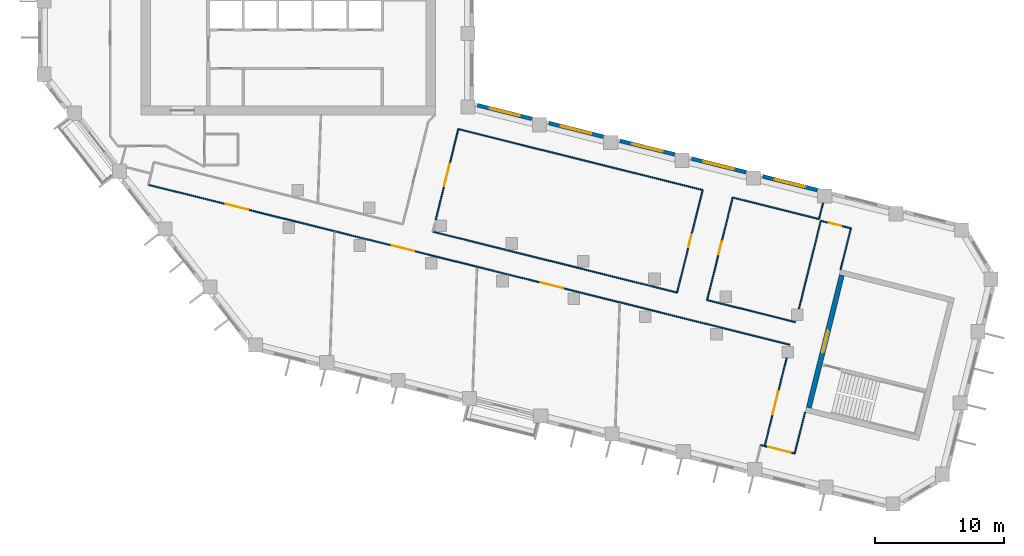
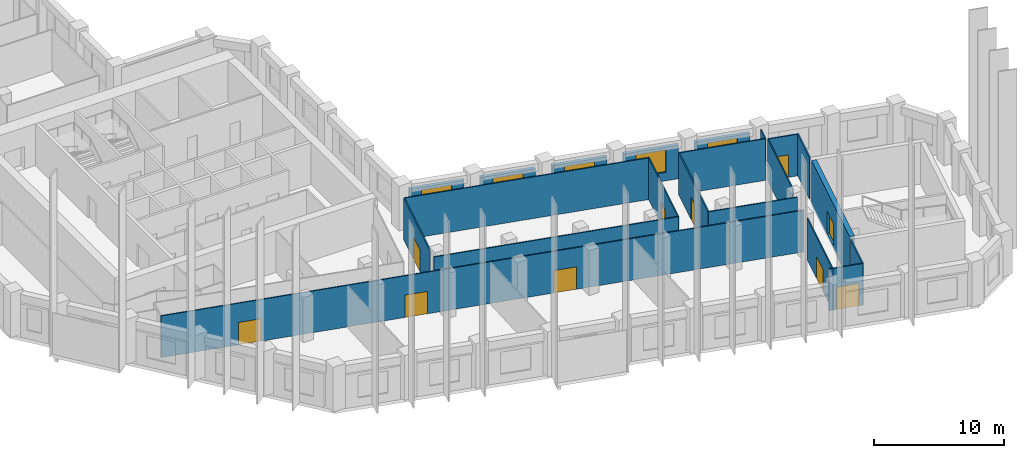
# One storey, part 4 of 10: 22 walls, 10 doors, 5 windows, 15 openings.
"""IFC4 building model written with IfcOpenShell, lengths in metres."""

from ifc_helpers import new_model, si_unit, direction, frame, frame_2d, origin, place, context, subcontext, project, spatial, rectangle, extrude, material, layer, layer_set, type_object, element, fill, save


model = new_model("IFC4")

# Units and contexts
model_context = context("Model", 3, precision=1e-05, world=origin(), true_north=direction((0.0, 1.0)))
body_context = subcontext(model_context, "Body", "Model", "MODEL_VIEW")
ifc_project = project(units=[si_unit("LENGTHUNIT", "METRE"), si_unit("AREAUNIT", "SQUARE_METRE"), si_unit("VOLUMEUNIT", "CUBIC_METRE"), si_unit("PLANEANGLEUNIT", "RADIAN"), si_unit("MASSUNIT", "GRAM", prefix="KILO")], contexts=[model_context])

# Site, building, storey
site_placement = place(None, origin())
site = spatial("IfcSite", under=ifc_project, at=site_placement, CompositionType="ELEMENT")
building_placement = place(site_placement, origin())
building = spatial("IfcBuilding", under=site, at=building_placement, Name="Meshkara Civic Tower", CompositionType="ELEMENT")
storey_placement = place(building_placement, frame((0.0, 0.0, 259.199951171875)))
storey = spatial("IfcBuildingStorey", under=building, at=storey_placement, Name="L59", CompositionType="ELEMENT", Elevation=259.199951171875)

# Wall, openings, doors
ifc_material_1 = material(Name="Corridor wall 100")
ifc_layer_1 = layer(ifc_material_1, 0.10009765625)
ifc_layer_set_1 = layer_set([ifc_layer_1], Name="Corridor wall 100")
wall_type_1 = type_object("IfcWallType", Name="Corridor wall 100", PredefinedType="PARTITIONING", material=ifc_layer_set_1)
wall_1_placement = place(storey_placement, frame((8.550048828125, 8.68505859375, 0.0), z_axis=(0.0, 0.0, 1.0), x_axis=(0.970298026101, -0.241912671319, 0.0)))
wall_1 = element("IfcWall", 1, at=wall_1_placement, inside=storey, type_object=wall_type_1, Name="L59-W008", PredefinedType="PARTITIONING", context=body_context, shape_type="SweptSolid", body=[
    extrude(rectangle(XDim=51.27490234375, YDim=0.10009765625, at=frame_2d((25.637451171875, 0.0))), origin(), (0.0, 0.0, 1.0), 3.900146484375),
])
opening_1_placement = place(wall_1_placement, frame((19.449951171875, 0.0, 0.0)))
opening_1 = element("IfcOpeningElement", 2, at=opening_1_placement, cuts=wall_1, Name="Opening L59-D003", PredefinedType="OPENING", context=body_context, shape_type="SweptSolid", body=[
    extrude(rectangle(XDim=1.800048828125, YDim=2.10009765625, at=frame_2d((0.89990234375, 1.050048828125))), frame((0.0, 0.06005859375, 0.0), z_axis=(0.0, -1.0, 0.0), x_axis=(1.0, 0.0, 0.0)), (0.0, 0.0, 1.0), 0.1201171875),
])
opening_2_placement = place(wall_1_placement, frame((31.35009765625, 0.0, 0.0)))
opening_2 = element("IfcOpeningElement", 3, at=opening_2_placement, cuts=wall_1, Name="Opening L59-D004", PredefinedType="OPENING", context=body_context, shape_type="SweptSolid", body=[
    extrude(rectangle(XDim=1.800048828125, YDim=2.10009765625, at=frame_2d((0.89990234375, 1.050048828125))), frame((0.0, 0.06005859375, 0.0), z_axis=(0.0, -1.0, 0.0), x_axis=(1.0, 0.0, 0.0)), (0.0, 0.0, 1.0), 0.1201171875),
])
opening_3_placement = place(wall_1_placement, frame((6.179931640625, 0.0, 0.0)))
opening_3 = element("IfcOpeningElement", 4, at=opening_3_placement, cuts=wall_1, Name="Opening L59-D010", PredefinedType="OPENING", context=body_context, shape_type="SweptSolid", body=[
    extrude(rectangle(XDim=1.800048828125, YDim=2.10009765625, at=frame_2d((0.89990234375, 1.050048828125))), frame((0.0, 0.06005859375, 0.0), z_axis=(0.0, -1.0, 0.0), x_axis=(1.0, 0.0, 0.0)), (0.0, 0.0, 1.0), 0.1201171875),
])
ifc_material_2 = material(Name="Door pair 1800 x 2100")
door_type_1 = type_object("IfcDoorType", Name="Door pair 1800 x 2100", OperationType="SINGLE_SWING_LEFT", PredefinedType="DOOR", material=ifc_material_2)
door_1_placement = place(opening_1_placement, origin())
door_1 = element("IfcDoor", 5, at=door_1_placement, inside=storey, type_object=door_type_1, Name="L59-D003", OperationType="DOUBLE_DOOR_SINGLE_SWING", OverallHeight=2.10009765625, OverallWidth=1.800048828125, PredefinedType="DOOR", context=body_context, shape_type="SweptSolid", body=[
    extrude(rectangle(XDim=1.800048828125, YDim=2.10009765625, at=frame_2d((0.89990234375, 1.050048828125))), frame((0.0, 0.02490234375, 0.0), z_axis=(0.0, -1.0, 0.0), x_axis=(1.0, 0.0, 0.0)), (0.0, 0.0, 1.0), 0.050048828125),
])
fill(opening_1, door_1)
door_2_placement = place(opening_2_placement, origin())
door_2 = element("IfcDoor", 6, at=door_2_placement, inside=storey, type_object=door_type_1, Name="L59-D004", OperationType="DOUBLE_DOOR_SINGLE_SWING", OverallHeight=2.10009765625, OverallWidth=1.800048828125, PredefinedType="DOOR", context=body_context, shape_type="SweptSolid", body=[
    extrude(rectangle(XDim=1.800048828125, YDim=2.10009765625, at=frame_2d((0.89990234375, 1.050048828125))), frame((0.0, 0.02490234375, 0.0), z_axis=(0.0, -1.0, 0.0), x_axis=(1.0, 0.0, 0.0)), (0.0, 0.0, 1.0), 0.050048828125),
])
fill(opening_2, door_2)
door_3_placement = place(opening_3_placement, origin())
door_3 = element("IfcDoor", 7, at=door_3_placement, inside=storey, type_object=door_type_1, Name="L59-D010", OperationType="DOUBLE_DOOR_SINGLE_SWING", OverallHeight=2.10009765625, OverallWidth=1.800048828125, PredefinedType="DOOR", context=body_context, shape_type="SweptSolid", body=[
    extrude(rectangle(XDim=1.800048828125, YDim=2.10009765625, at=frame_2d((0.89990234375, 1.050048828125))), frame((0.0, 0.02490234375, 0.0), z_axis=(0.0, -1.0, 0.0), x_axis=(1.0, 0.0, 0.0)), (0.0, 0.0, 1.0), 0.050048828125),
])
fill(opening_3, door_3)

# Wall, opening, door
wall_2_placement = place(storey_placement, frame((30.8330078125, 5.962890625, 0.0), z_axis=(0.0, 0.0, 1.0), x_axis=(0.241902093757, 0.970300663215, 0.0)))
wall_2 = element("IfcWall", 8, at=wall_2_placement, inside=storey, type_object=wall_type_1, Name="L59-W029", PredefinedType="PARTITIONING", context=body_context, shape_type="SweptSolid", body=[
    extrude(rectangle(XDim=7.254638671875, YDim=0.10009765625, at=frame_2d((3.62744140625, 0.0))), origin(), (0.0, 0.0, 1.0), 3.900146484375),
])
opening_4_placement = place(wall_2_placement, frame((2.679931640625, 0.0, 0.0)))
opening_4 = element("IfcOpeningElement", 9, at=opening_4_placement, cuts=wall_2, Name="Opening L59-D012", PredefinedType="OPENING", context=body_context, shape_type="SweptSolid", body=[
    extrude(rectangle(XDim=1.800048828125, YDim=2.10009765625, at=frame_2d((0.89990234375, 1.050048828125))), frame((0.0, 0.06005859375, 0.0), z_axis=(0.0, -1.0, 0.0), x_axis=(1.0, 0.0, 0.0)), (0.0, 0.0, 1.0), 0.1201171875),
])
door_4_placement = place(opening_4_placement, origin())
door_4 = element("IfcDoor", 10, at=door_4_placement, inside=storey, type_object=door_type_1, Name="L59-D012", OperationType="DOUBLE_DOOR_SINGLE_SWING", OverallHeight=2.10009765625, OverallWidth=1.800048828125, PredefinedType="DOOR", context=body_context, shape_type="SweptSolid", body=[
    extrude(rectangle(XDim=1.800048828125, YDim=2.10009765625, at=frame_2d((0.89990234375, 1.050048828125))), frame((0.0, 0.02490234375, 0.0), z_axis=(0.0, -1.0, 0.0), x_axis=(1.0, 0.0, 0.0)), (0.0, 0.0, 1.0), 0.050048828125),
])
fill(opening_4, door_4)

# Walls
wall_3_placement = place(storey_placement, frame((32.587890625, 13.001953125, 0.0), z_axis=(0.0, 0.0, 1.0), x_axis=(0.970294555223, -0.241926592387, 0.0)))
element("IfcWall", 11, at=wall_3_placement, inside=storey, type_object=wall_type_1, Name="L59-W031", PredefinedType="PARTITIONING", context=body_context, shape_type="SweptSolid", body=[
    extrude(rectangle(XDim=19.526123046875, YDim=0.10009765625, at=frame_2d((9.76318359375, 0.0))), origin(), (0.0, 0.0, 1.0), 3.900146484375),
])
wall_4_placement = place(storey_placement, frame((49.551025390625, 0.326904296875, 0.0), z_axis=(0.0, 0.0, 1.0), x_axis=(-0.970303359745, 0.241891277369, 0.0)))
element("IfcWall", 12, at=wall_4_placement, inside=storey, type_object=wall_type_1, Name="L59-W032", PredefinedType="PARTITIONING", context=body_context, shape_type="SweptSolid", body=[
    extrude(rectangle(XDim=19.52587890625, YDim=0.10009765625, at=frame_2d((9.762939453125, 0.0))), origin(), (0.0, 0.0, 1.0), 3.900146484375),
])

# Wall, opening, door
wall_5_placement = place(storey_placement, frame((51.533935546875, 8.278076171875, 0.0), z_axis=(0.0, 0.0, 1.0), x_axis=(-0.241974784284, -0.970282538115, 0.0)))
wall_5 = element("IfcWall", 13, at=wall_5_placement, inside=storey, type_object=wall_type_1, Name="L59-W033", PredefinedType="PARTITIONING", context=body_context, shape_type="SweptSolid", body=[
    extrude(rectangle(XDim=8.194580078125, YDim=0.10009765625, at=frame_2d((4.09716796875, 0.0))), origin(), (0.0, 0.0, 1.0), 3.900146484375),
])
opening_5_placement = place(wall_5_placement, frame((3.580078125, 0.0, 0.0)))
opening_5 = element("IfcOpeningElement", 14, at=opening_5_placement, cuts=wall_5, Name="Opening L59-D005", PredefinedType="OPENING", context=body_context, shape_type="SweptSolid", body=[
    extrude(rectangle(XDim=1.0, YDim=2.10009765625, at=frame_2d((0.5, 1.050048828125))), frame((0.0, 0.06005859375, 0.0), z_axis=(0.0, -1.0, 0.0), x_axis=(1.0, 0.0, 0.0)), (0.0, 0.0, 1.0), 0.1201171875),
])
ifc_material_3 = material(Name="Door 1000 x 2100")
door_type_2 = type_object("IfcDoorType", Name="Door 1000 x 2100", OperationType="SINGLE_SWING_LEFT", PredefinedType="DOOR", material=ifc_material_3)
door_5_placement = place(opening_5_placement, origin())
door_5 = element("IfcDoor", 15, at=door_5_placement, inside=storey, type_object=door_type_2, Name="L59-D005", OperationType="SINGLE_SWING_RIGHT", OverallHeight=2.10009765625, OverallWidth=1.0, PredefinedType="DOOR", context=body_context, shape_type="SweptSolid", body=[
    extrude(rectangle(XDim=1.0, YDim=2.10009765625, at=frame_2d((0.5, 1.050048828125))), frame((0.0, 0.02490234375, 0.0), z_axis=(0.0, -1.0, 0.0), x_axis=(1.0, 0.0, 0.0)), (0.0, 0.0, 1.0), 0.050048828125),
])
fill(opening_5, door_5)

wall_6_placement = place(storey_placement, frame((51.8798828125, -0.25390625, 0.0), z_axis=(0.0, 0.0, 1.0), x_axis=(0.241869660979, 0.970308748336, 0.0)))
wall_6 = element("IfcWall", 16, at=wall_6_placement, inside=storey, type_object=wall_type_1, Name="L59-W034", PredefinedType="PARTITIONING", context=body_context, shape_type="SweptSolid", body=[
    extrude(rectangle(XDim=8.1953125, YDim=0.10009765625, at=frame_2d((4.09765625, 0.0))), origin(), (0.0, 0.0, 1.0), 3.900146484375),
])
opening_6_placement = place(wall_6_placement, frame((3.679931640625, 0.0, 0.0)))
opening_6 = element("IfcOpeningElement", 17, at=opening_6_placement, cuts=wall_6, Name="Opening L59-D006", PredefinedType="OPENING", context=body_context, shape_type="SweptSolid", body=[
    extrude(rectangle(XDim=1.0, YDim=2.10009765625, at=frame_2d((0.5, 1.050048828125))), frame((0.0, 0.06005859375, 0.0), z_axis=(0.0, -1.0, 0.0), x_axis=(1.0, 0.0, 0.0)), (0.0, 0.0, 1.0), 0.1201171875),
])
door_6_placement = place(opening_6_placement, origin())
door_6 = element("IfcDoor", 18, at=door_6_placement, inside=storey, type_object=door_type_2, Name="L59-D006", OperationType="SINGLE_SWING_LEFT", OverallHeight=2.10009765625, OverallWidth=1.0, PredefinedType="DOOR", context=body_context, shape_type="SweptSolid", body=[
    extrude(rectangle(XDim=1.0, YDim=2.10009765625, at=frame_2d((0.5, 1.050048828125))), frame((0.0, 0.02490234375, 0.0), z_axis=(0.0, -1.0, 0.0), x_axis=(1.0, 0.0, 0.0)), (0.0, 0.0, 1.0), 0.050048828125),
])
fill(opening_6, door_6)

# Wall
wall_7_placement = place(storey_placement, frame((53.862060546875, 7.697998046875, 0.0), z_axis=(0.0, 0.0, 1.0), x_axis=(0.970296350815, -0.241919390698, 0.0)))
element("IfcWall", 19, at=wall_7_placement, inside=storey, type_object=wall_type_1, Name="L59-W035", PredefinedType="PARTITIONING", context=body_context, shape_type="SweptSolid", body=[
    extrude(rectangle(XDim=6.898681640625, YDim=0.10009765625, at=frame_2d((3.44921875, 0.0))), origin(), (0.0, 0.0, 1.0), 3.900146484375),
])

# Wall, opening, door
wall_8_placement = place(storey_placement, frame((56.343994140625, -11.574951171875, 0.0), z_axis=(0.0, 0.0, 1.0), x_axis=(0.970333736057, -0.241769395645, 0.0)))
wall_8 = element("IfcWall", 20, at=wall_8_placement, inside=storey, type_object=wall_type_1, Name="L59-W036", PredefinedType="PARTITIONING", context=body_context, shape_type="SweptSolid", body=[
    extrude(rectangle(XDim=2.3994140625, YDim=0.10009765625, at=frame_2d((1.19970703125, 0.0))), origin(), (0.0, 0.0, 1.0), 3.900146484375),
])
opening_7_placement = place(wall_8_placement, frame((0.280029296875, 0.0, 0.0)))
opening_7 = element("IfcOpeningElement", 21, at=opening_7_placement, cuts=wall_8, Name="Opening L59-D002", PredefinedType="OPENING", context=body_context, shape_type="SweptSolid", body=[
    extrude(rectangle(XDim=1.800048828125, YDim=2.10009765625, at=frame_2d((0.89990234375, 1.050048828125))), frame((0.0, 0.06005859375, 0.0), z_axis=(0.0, -1.0, 0.0), x_axis=(1.0, 0.0, 0.0)), (0.0, 0.0, 1.0), 0.1201171875),
])
door_7_placement = place(opening_7_placement, origin())
door_7 = element("IfcDoor", 22, at=door_7_placement, inside=storey, type_object=door_type_1, Name="L59-D002", OperationType="DOUBLE_DOOR_SINGLE_SWING", OverallHeight=2.10009765625, OverallWidth=1.800048828125, PredefinedType="DOOR", context=body_context, shape_type="SweptSolid", body=[
    extrude(rectangle(XDim=1.800048828125, YDim=2.10009765625, at=frame_2d((0.89990234375, 1.050048828125))), frame((0.0, 0.02490234375, 0.0), z_axis=(0.0, -1.0, 0.0), x_axis=(1.0, 0.0, 0.0)), (0.0, 0.0, 1.0), 0.050048828125),
])
fill(opening_7, door_7)

wall_9_placement = place(storey_placement, frame((58.047119140625, -4.741943359375, 0.0), z_axis=(0.0, 0.0, 1.0), x_axis=(-0.241882891004, -0.970305450381, 0.0)))
wall_9 = element("IfcWall", 23, at=wall_9_placement, inside=storey, type_object=wall_type_1, Name="L59-W037", PredefinedType="PARTITIONING", context=body_context, shape_type="SweptSolid", body=[
    extrude(rectangle(XDim=7.041015625, YDim=0.10009765625, at=frame_2d((3.5205078125, 0.0))), origin(), (0.0, 0.0, 1.0), 3.900146484375),
])
opening_8_placement = place(wall_9_placement, frame((2.679931640625, 0.0, 0.0)))
opening_8 = element("IfcOpeningElement", 24, at=opening_8_placement, cuts=wall_9, Name="Opening L59-D001", PredefinedType="OPENING", context=body_context, shape_type="SweptSolid", body=[
    extrude(rectangle(XDim=1.800048828125, YDim=2.10009765625, at=frame_2d((0.89990234375, 1.050048828125))), frame((0.0, 0.06005859375, 0.0), z_axis=(0.0, -1.0, 0.0), x_axis=(1.0, 0.0, 0.0)), (0.0, 0.0, 1.0), 0.1201171875),
])
door_8_placement = place(opening_8_placement, origin())
door_8 = element("IfcDoor", 25, at=door_8_placement, inside=storey, type_object=door_type_1, Name="L59-D001", OperationType="DOUBLE_DOOR_SINGLE_SWING", OverallHeight=2.10009765625, OverallWidth=1.800048828125, PredefinedType="DOOR", context=body_context, shape_type="SweptSolid", body=[
    extrude(rectangle(XDim=1.800048828125, YDim=2.10009765625, at=frame_2d((0.89990234375, 1.050048828125))), frame((0.0, 0.02490234375, 0.0), z_axis=(0.0, -1.0, 0.0), x_axis=(1.0, 0.0, 0.0)), (0.0, 0.0, 1.0), 0.050048828125),
])
fill(opening_8, door_8)

# Walls
wall_10_placement = place(storey_placement, frame((58.672119140625, -12.155029296875, 0.0), z_axis=(0.0, 0.0, 1.0), x_axis=(0.242048225647, 0.970264219922, 0.0)))
element("IfcWall", 26, at=wall_10_placement, inside=storey, type_object=wall_type_1, Name="L59-W038", PredefinedType="PARTITIONING", context=body_context, shape_type="SweptSolid", body=[
    extrude(rectangle(XDim=3.30029296875, YDim=0.10009765625, at=frame_2d((1.650146484375, 0.0))), origin(), (0.0, 0.0, 1.0), 3.900146484375),
])
wall_11_placement = place(storey_placement, frame((58.739990234375, -1.965087890625, 0.0), z_axis=(0.0, 0.0, 1.0), x_axis=(-0.970270330794, 0.24202372855, 0.0)))
element("IfcWall", 27, at=wall_11_placement, inside=storey, type_object=wall_type_1, Name="L59-W039", PredefinedType="PARTITIONING", context=body_context, shape_type="SweptSolid", body=[
    extrude(rectangle(XDim=7.0703125, YDim=0.10009765625, at=frame_2d((3.53515625, 0.0))), origin(), (0.0, 0.0, 1.0), 3.900146484375),
])
wall_12_placement = place(storey_placement, frame((60.555908203125, 6.029052734375, 0.0), z_axis=(0.0, 0.0, 1.0), x_axis=(0.24168476558, 0.970354818655, 0.0)))
element("IfcWall", 28, at=wall_12_placement, inside=storey, type_object=wall_type_1, Name="L59-W040", PredefinedType="PARTITIONING", context=body_context, shape_type="SweptSolid", body=[
    extrude(rectangle(XDim=1.282958984375, YDim=0.10009765625, at=frame_2d((0.6416015625, 0.0))), origin(), (0.0, 0.0, 1.0), 3.900146484375),
])
wall_13_placement = place(storey_placement, frame((60.697998046875, 5.89111328125, 0.0), z_axis=(0.0, 0.0, 1.0), x_axis=(-0.241890198624, -0.97030362867, 0.0)))
element("IfcWall", 29, at=wall_13_placement, inside=storey, type_object=wall_type_1, Name="L59-W041", PredefinedType="PARTITIONING", context=body_context, shape_type="SweptSolid", body=[
    extrude(rectangle(XDim=7.03173828125, YDim=0.10009765625, at=frame_2d((3.515869140625, 0.0))), origin(), (0.0, 0.0, 1.0), 3.900146484375),
])
wall_14_placement = place(storey_placement, frame((62.22900390625, 2.10791015625, 0.0), z_axis=(0.0, 0.0, 1.0), x_axis=(0.241839284064, 0.97031631991, 0.0)))
element("IfcWall", 30, at=wall_14_placement, inside=storey, type_object=wall_type_1, Name="L59-W042", PredefinedType="PARTITIONING", context=body_context, shape_type="SweptSolid", body=[
    extrude(rectangle(XDim=3.300048828125, YDim=0.10009765625, at=frame_2d((1.64990234375, 0.0))), origin(), (0.0, 0.0, 1.0), 3.900146484375),
])

# Wall, opening, door
wall_15_placement = place(storey_placement, frame((63.027099609375, 5.31005859375, 0.0), z_axis=(0.0, 0.0, 1.0), x_axis=(-0.970262034576, 0.242056985565, 0.0)))
wall_15 = element("IfcWall", 31, at=wall_15_placement, inside=storey, type_object=wall_type_1, Name="L59-W043", PredefinedType="PARTITIONING", context=body_context, shape_type="SweptSolid", body=[
    extrude(rectangle(XDim=2.400390625, YDim=0.10009765625, at=frame_2d((1.2001953125, 0.0))), origin(), (0.0, 0.0, 1.0), 3.900146484375),
])
opening_9_placement = place(wall_15_placement, frame((0.780029296875, 0.0, 0.0)))
opening_9 = element("IfcOpeningElement", 32, at=opening_9_placement, cuts=wall_15, Name="Opening L59-D007", PredefinedType="OPENING", context=body_context, shape_type="SweptSolid", body=[
    extrude(rectangle(XDim=1.0, YDim=2.10009765625, at=frame_2d((0.5, 1.050048828125))), frame((0.0, 0.06005859375, 0.0), z_axis=(0.0, -1.0, 0.0), x_axis=(1.0, 0.0, 0.0)), (0.0, 0.0, 1.0), 0.1201171875),
])
door_9_placement = place(opening_9_placement, origin())
door_9 = element("IfcDoor", 33, at=door_9_placement, inside=storey, type_object=door_type_2, Name="L59-D007", OperationType="SINGLE_SWING_LEFT", OverallHeight=2.10009765625, OverallWidth=1.0, PredefinedType="DOOR", context=body_context, shape_type="SweptSolid", body=[
    extrude(rectangle(XDim=1.0, YDim=2.10009765625, at=frame_2d((0.5, 1.050048828125))), frame((0.0, 0.02490234375, 0.0), z_axis=(0.0, -1.0, 0.0), x_axis=(1.0, 0.0, 0.0)), (0.0, 0.0, 1.0), 0.050048828125),
])
fill(opening_9, door_9)

# Wall, opening, window
ifc_material_4 = material(Name="Insulated infill panel with bronze anodised aluminium cladding", Category="aluminium")
ifc_layer_2 = layer(ifc_material_4, 0.300048828125)
ifc_layer_set_2 = layer_set([ifc_layer_2], Name="EXTERNAL INFILL WALL 300")
wall_type_2 = type_object("IfcWallType", Name="EXTERNAL INFILL WALL 300", PredefinedType="SOLIDWALL", material=ifc_layer_set_2)
wall_16_placement = place(storey_placement, frame((60.428955078125, 8.277099609375, 0.0), z_axis=(0.0, 0.0, 1.0), x_axis=(-0.97030676369, 0.241877622649, 0.0)))
wall_16 = element("IfcWall", 34, at=wall_16_placement, inside=storey, type_object=wall_type_2, Name="External wall", PredefinedType="SOLIDWALL", context=body_context, shape_type="SweptSolid", body=[
    extrude(rectangle(XDim=4.365478515625, YDim=0.300048828125, at=frame_2d((2.1826171875, 0.0))), origin(), (0.0, 0.0, 1.0), 3.150146484375),
])
opening_10_placement = place(wall_16_placement, frame((0.98291015625, 0.0, 0.800048828125)))
opening_10 = element("IfcOpeningElement", 35, at=opening_10_placement, cuts=wall_16, Name="Opening W7", PredefinedType="OPENING", context=body_context, shape_type="SweptSolid", body=[
    extrude(rectangle(XDim=2.39990234375, YDim=2.10009765625, at=frame_2d((1.199951171875, 1.050048828125))), frame((0.0, 0.159912109375, 0.0), z_axis=(0.0, -1.0, 0.0), x_axis=(1.0, 0.0, 0.0)), (0.0, 0.0, 1.0), 0.320068359375),
])
ifc_material_5 = material(Name="Tinted double glazing", Category="glass")
window_type = type_object("IfcWindowType", Name="WINDOW 2400x2100", PartitioningType="DOUBLE_PANEL_VERTICAL", PredefinedType="WINDOW", material=ifc_material_5)
window_1_placement = place(opening_10_placement, origin())
window_1 = element("IfcWindow", 36, at=window_1_placement, inside=storey, type_object=window_type, Name="Window", OverallHeight=2.10009765625, OverallWidth=2.39990234375, PartitioningType="DOUBLE_PANEL_VERTICAL", PredefinedType="WINDOW", context=body_context, shape_type="SweptSolid", body=[
    extrude(rectangle(XDim=2.39990234375, YDim=2.10009765625, at=frame_2d((1.199951171875, 1.050048828125))), frame((0.0, 0.030029296875, 0.0), z_axis=(0.0, -1.0, 0.0), x_axis=(1.0, 0.0, 0.0)), (0.0, 0.0, 1.0), 0.06005859375),
])
fill(opening_10, window_1)

wall_17_placement = place(storey_placement, frame((54.89892578125, 9.656005859375, 0.0), z_axis=(0.0, 0.0, 1.0), x_axis=(-0.970319847058, 0.241825131873, 0.0)))
wall_17 = element("IfcWall", 37, at=wall_17_placement, inside=storey, type_object=wall_type_2, Name="External wall", PredefinedType="SOLIDWALL", context=body_context, shape_type="SweptSolid", body=[
    extrude(rectangle(XDim=4.366455078125, YDim=0.300048828125, at=frame_2d((2.18310546875, 0.0))), origin(), (0.0, 0.0, 1.0), 3.150146484375),
])
opening_11_placement = place(wall_17_placement, frame((0.98291015625, 0.0, 0.800048828125)))
opening_11 = element("IfcOpeningElement", 38, at=opening_11_placement, cuts=wall_17, Name="Opening W7", PredefinedType="OPENING", context=body_context, shape_type="SweptSolid", body=[
    extrude(rectangle(XDim=2.39990234375, YDim=2.10009765625, at=frame_2d((1.199951171875, 1.050048828125))), frame((0.0, 0.159912109375, 0.0), z_axis=(0.0, -1.0, 0.0), x_axis=(1.0, 0.0, 0.0)), (0.0, 0.0, 1.0), 0.320068359375),
])
window_2_placement = place(opening_11_placement, origin())
window_2 = element("IfcWindow", 39, at=window_2_placement, inside=storey, type_object=window_type, Name="Window", OverallHeight=2.10009765625, OverallWidth=2.39990234375, PartitioningType="DOUBLE_PANEL_VERTICAL", PredefinedType="WINDOW", context=body_context, shape_type="SweptSolid", body=[
    extrude(rectangle(XDim=2.39990234375, YDim=2.10009765625, at=frame_2d((1.199951171875, 1.050048828125))), frame((0.0, 0.030029296875, 0.0), z_axis=(0.0, -1.0, 0.0), x_axis=(1.0, 0.0, 0.0)), (0.0, 0.0, 1.0), 0.06005859375),
])
fill(opening_11, window_2)

wall_18_placement = place(storey_placement, frame((49.367919921875, 11.034912109375, 0.0), z_axis=(0.0, 0.0, 1.0), x_axis=(-0.970306725873, 0.241877774353, 0.0)))
wall_18 = element("IfcWall", 40, at=wall_18_placement, inside=storey, type_object=wall_type_2, Name="External wall", PredefinedType="SOLIDWALL", context=body_context, shape_type="SweptSolid", body=[
    extrude(rectangle(XDim=4.366455078125, YDim=0.300048828125, at=frame_2d((2.18310546875, 0.0))), origin(), (0.0, 0.0, 1.0), 3.150146484375),
])
opening_12_placement = place(wall_18_placement, frame((0.98291015625, 0.0, 0.800048828125)))
opening_12 = element("IfcOpeningElement", 41, at=opening_12_placement, cuts=wall_18, Name="Opening W7", PredefinedType="OPENING", context=body_context, shape_type="SweptSolid", body=[
    extrude(rectangle(XDim=2.39990234375, YDim=2.10009765625, at=frame_2d((1.199951171875, 1.050048828125))), frame((0.0, 0.159912109375, 0.0), z_axis=(0.0, -1.0, 0.0), x_axis=(1.0, 0.0, 0.0)), (0.0, 0.0, 1.0), 0.320068359375),
])
window_3_placement = place(opening_12_placement, origin())
window_3 = element("IfcWindow", 42, at=window_3_placement, inside=storey, type_object=window_type, Name="Window", OverallHeight=2.10009765625, OverallWidth=2.39990234375, PartitioningType="DOUBLE_PANEL_VERTICAL", PredefinedType="WINDOW", context=body_context, shape_type="SweptSolid", body=[
    extrude(rectangle(XDim=2.39990234375, YDim=2.10009765625, at=frame_2d((1.199951171875, 1.050048828125))), frame((0.0, 0.030029296875, 0.0), z_axis=(0.0, -1.0, 0.0), x_axis=(1.0, 0.0, 0.0)), (0.0, 0.0, 1.0), 0.06005859375),
])
fill(opening_12, window_3)

wall_19_placement = place(storey_placement, frame((43.8369140625, 12.4140625, 0.0), z_axis=(0.0, 0.0, 1.0), x_axis=(-0.97030676369, 0.241877622649, 0.0)))
wall_19 = element("IfcWall", 43, at=wall_19_placement, inside=storey, type_object=wall_type_2, Name="External wall", PredefinedType="SOLIDWALL", context=body_context, shape_type="SweptSolid", body=[
    extrude(rectangle(XDim=4.365478515625, YDim=0.300048828125, at=frame_2d((2.1826171875, 0.0))), origin(), (0.0, 0.0, 1.0), 3.150146484375),
])
opening_13_placement = place(wall_19_placement, frame((0.98291015625, 0.0, 0.800048828125)))
opening_13 = element("IfcOpeningElement", 44, at=opening_13_placement, cuts=wall_19, Name="Opening W7", PredefinedType="OPENING", context=body_context, shape_type="SweptSolid", body=[
    extrude(rectangle(XDim=2.39990234375, YDim=2.10009765625, at=frame_2d((1.199951171875, 1.050048828125))), frame((0.0, 0.159912109375, 0.0), z_axis=(0.0, -1.0, 0.0), x_axis=(1.0, 0.0, 0.0)), (0.0, 0.0, 1.0), 0.320068359375),
])
window_4_placement = place(opening_13_placement, origin())
window_4 = element("IfcWindow", 45, at=window_4_placement, inside=storey, type_object=window_type, Name="Window", OverallHeight=2.10009765625, OverallWidth=2.39990234375, PartitioningType="DOUBLE_PANEL_VERTICAL", PredefinedType="WINDOW", context=body_context, shape_type="SweptSolid", body=[
    extrude(rectangle(XDim=2.39990234375, YDim=2.10009765625, at=frame_2d((1.199951171875, 1.050048828125))), frame((0.0, 0.030029296875, 0.0), z_axis=(0.0, -1.0, 0.0), x_axis=(1.0, 0.0, 0.0)), (0.0, 0.0, 1.0), 0.06005859375),
])
fill(opening_13, window_4)

wall_20_placement = place(storey_placement, frame((38.306884765625, 13.79296875, 0.0), z_axis=(0.0, 0.0, 1.0), x_axis=(-0.970306725873, 0.241877774353, 0.0)))
wall_20 = element("IfcWall", 46, at=wall_20_placement, inside=storey, type_object=wall_type_2, Name="External wall", PredefinedType="SOLIDWALL", context=body_context, shape_type="SweptSolid", body=[
    extrude(rectangle(XDim=4.366455078125, YDim=0.300048828125, at=frame_2d((2.18310546875, 0.0))), origin(), (0.0, 0.0, 1.0), 3.150146484375),
])
opening_14_placement = place(wall_20_placement, frame((0.98291015625, 0.0, 0.800048828125)))
opening_14 = element("IfcOpeningElement", 47, at=opening_14_placement, cuts=wall_20, Name="Opening W7", PredefinedType="OPENING", context=body_context, shape_type="SweptSolid", body=[
    extrude(rectangle(XDim=2.39990234375, YDim=2.10009765625, at=frame_2d((1.199951171875, 1.050048828125))), frame((0.0, 0.159912109375, 0.0), z_axis=(0.0, -1.0, 0.0), x_axis=(1.0, 0.0, 0.0)), (0.0, 0.0, 1.0), 0.320068359375),
])
window_5_placement = place(opening_14_placement, origin())
window_5 = element("IfcWindow", 48, at=window_5_placement, inside=storey, type_object=window_type, Name="Window", OverallHeight=2.10009765625, OverallWidth=2.39990234375, PartitioningType="DOUBLE_PANEL_VERTICAL", PredefinedType="WINDOW", context=body_context, shape_type="SweptSolid", body=[
    extrude(rectangle(XDim=2.39990234375, YDim=2.10009765625, at=frame_2d((1.199951171875, 1.050048828125))), frame((0.0, 0.030029296875, 0.0), z_axis=(0.0, -1.0, 0.0), x_axis=(1.0, 0.0, 0.0)), (0.0, 0.0, 1.0), 0.06005859375),
])
fill(opening_14, window_5)

# Wall, opening, door
ifc_material_6 = material(Name="Concrete C60", Category="concrete")
ifc_layer_3 = layer(ifc_material_6, 0.39990234375)
ifc_layer_set_3 = layer_set([ifc_layer_3], Name="End core ring wall 400 C60")
wall_type_3 = type_object("IfcWallType", Name="End core ring wall 400 C60", PredefinedType="SHEAR", material=ifc_layer_set_3)
wall_21_placement = place(storey_placement, frame((59.760986328125, -8.613037109375, -0.300048828125), z_axis=(0.0, 0.0, 1.0), x_axis=(0.241971982666, 0.970283236795, 0.0)))
wall_21 = element("IfcWall", 49, at=wall_21_placement, inside=storey, type_object=wall_type_3, Name="L59-C030", PredefinedType="SHEAR", context=body_context, shape_type="SweptSolid", body=[
    extrude(rectangle(XDim=10.60009765625, YDim=0.39990234375, at=frame_2d((5.300048828125, 0.0))), origin(), (0.0, 0.0, 1.0), 4.2001953125),
])
opening_15_placement = place(wall_21_placement, frame((4.39990234375, 0.0, 0.300048828125)))
opening_15 = element("IfcOpeningElement", 50, at=opening_15_placement, cuts=wall_21, Name="Opening L59-K202", PredefinedType="OPENING", context=body_context, shape_type="SweptSolid", body=[
    extrude(rectangle(XDim=1.800048828125, YDim=2.10009765625, at=frame_2d((0.89990234375, 1.050048828125))), frame((0.0, 0.2099609375, 0.0), z_axis=(0.0, -1.0, 0.0), x_axis=(1.0, 0.0, 0.0)), (0.0, 0.0, 1.0), 0.419921875),
])
ifc_material_7 = material(Name="Fire-rated door leaf in steel frame", Category="steel")
door_type_3 = type_object("IfcDoorType", Name="Core double door 1800 EI 60", OperationType="DOUBLE_DOOR_SINGLE_SWING", PredefinedType="DOOR", material=ifc_material_7)
door_10_placement = place(opening_15_placement, origin())
door_10 = element("IfcDoor", 51, at=door_10_placement, inside=storey, type_object=door_type_3, Name="L59-K202", OperationType="DOUBLE_DOOR_SINGLE_SWING", OverallHeight=2.10009765625, OverallWidth=1.800048828125, PredefinedType="DOOR", context=body_context, shape_type="SweptSolid", body=[
    extrude(rectangle(XDim=1.800048828125, YDim=2.10009765625, at=frame_2d((0.89990234375, 1.050048828125))), frame((0.0, 0.02490234375, 0.0), z_axis=(0.0, -1.0, 0.0), x_axis=(1.0, 0.0, 0.0)), (0.0, 0.0, 1.0), 0.050048828125),
])
fill(opening_15, door_10)

# Wall
ifc_material_8 = material(Name="Partition 100")
ifc_layer_4 = layer(ifc_material_8, 0.10009765625)
ifc_layer_set_4 = layer_set([ifc_layer_4], Name="Partition 100")
wall_type_4 = type_object("IfcWallType", Name="Partition 100", PredefinedType="PARTITIONING", material=ifc_layer_set_4)
wall_22_placement = place(storey_placement, frame((56.0380859375, -11.498046875, 0.0), z_axis=(0.0, 0.0, 1.0), x_axis=(0.970551186262, -0.240894987173, 0.0)))
element("IfcWall", 52, at=wall_22_placement, inside=storey, type_object=wall_type_4, Name="L59-W059", PredefinedType="PARTITIONING", context=body_context, shape_type="SweptSolid", body=[
    extrude(rectangle(XDim=0.315185546875, YDim=0.10009765625, at=frame_2d((0.15771484375, 0.0))), origin(), (0.0, 0.0, 1.0), 3.900146484375),
])

save(model, "model.ifc")
